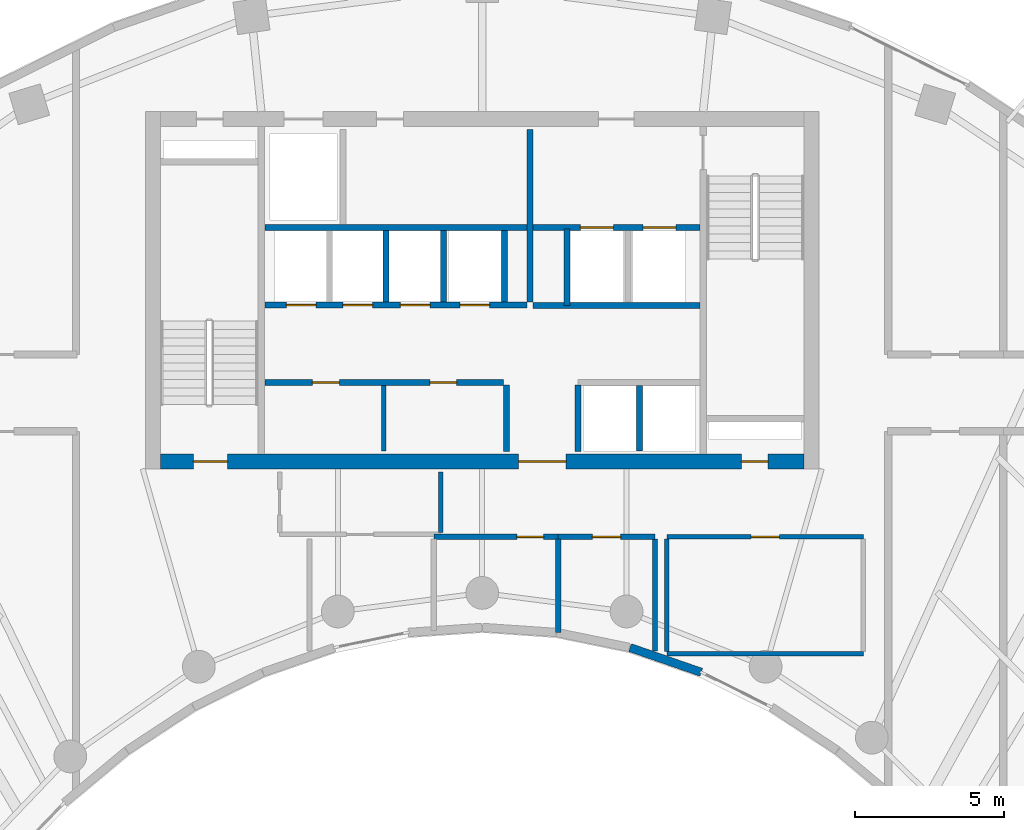
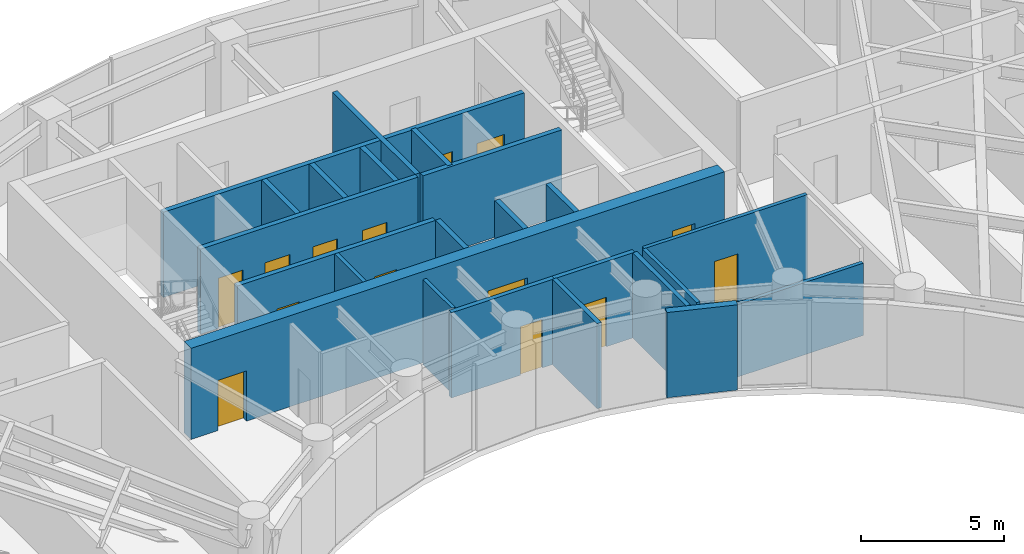
# One storey, part 9 of 13: 24 walls, 14 doors, 14 openings.
"""IFC4 building model written with IfcOpenShell, lengths in metres."""

from ifc_helpers import new_model, si_unit, direction, frame, frame_2d, origin, place, context, subcontext, project, spatial, rectangle, extrude, source, transform, mapped, material, layer, layer_set, type_object, type_shapes, element, fill, save


model = new_model("IFC4")

# Units and contexts
model_context = context("Model", 3, precision=1e-05, world=origin(), true_north=direction((0.0, 1.0)))
body_context = subcontext(model_context, "Body", "Model", "MODEL_VIEW")
ifc_project = project(units=[si_unit("LENGTHUNIT", "METRE"), si_unit("AREAUNIT", "SQUARE_METRE"), si_unit("VOLUMEUNIT", "CUBIC_METRE"), si_unit("PLANEANGLEUNIT", "RADIAN"), si_unit("MASSUNIT", "GRAM", prefix="KILO")], contexts=[model_context])

# Site, building, storey
site_placement = place(None, origin())
site = spatial("IfcSite", under=ifc_project, at=site_placement, CompositionType="ELEMENT")
building_placement = place(site_placement, origin())
building = spatial("IfcBuilding", under=site, at=building_placement, Name="Breltana Convention Tower", CompositionType="ELEMENT")
storey_placement = place(building_placement, frame((0.0, 0.0, 181.800048828125)))
storey = spatial("IfcBuildingStorey", under=building, at=storey_placement, Name="L44", CompositionType="ELEMENT", Elevation=181.800048828125)

# Wall, openings, doors
ifc_material_1 = material(Name="Concrete C60/75", Category="concrete")
ifc_layer_1 = layer(ifc_material_1, 0.5, Name="Concrete C60/75")
ifc_layer_set_1 = layer_set([ifc_layer_1], Name="Concrete C60/75")
wall_type_1 = type_object("IfcWallType", Name="SW-CORE-500", PredefinedType="SHEAR", material=ifc_layer_set_1)
shared_shape_1 = source(origin(), body_context, "Body", "SweptSolid", [
    extrude(rectangle(XDim=21.60009765625, YDim=0.5, at=frame_2d((10.800048828125, 0.0))), origin(), (0.0, 0.0, 1.0), 3.89990234375),
])
wall_1_placement = place(storey_placement, frame((37.199951171875, 60.449951171875, 0.0), z_axis=(0.0, 0.0, 1.0), x_axis=(1.0, 0.0, 0.0)))
wall_1 = element("IfcWall", 1, at=wall_1_placement, inside=storey, type_object=wall_type_1, Name="L44 South Core Shear Wall", PredefinedType="SHEAR", context=body_context, shape_type="MappedRepresentation", body=[
    mapped(shared_shape_1, transform((0.0, 0.0, 0.0), scale=1.0)),
])
opening_1_placement = place(wall_1_placement, frame((1.10009765625, 0.0, 0.0)))
opening_1 = element("IfcOpeningElement", 2, at=opening_1_placement, cuts=wall_1, Name="Opening D-11", PredefinedType="OPENING", context=body_context, shape_type="SweptSolid", body=[
    extrude(rectangle(XDim=1.14990234375, YDim=2.14990234375, at=frame_2d((0.574951171875, 1.074951171875))), frame((0.0, 0.260009765625, 0.0), z_axis=(0.0, -1.0, 0.0), x_axis=(1.0, 0.0, 0.0)), (0.0, 0.0, 1.0), 0.52001953125),
])
opening_2_placement = place(wall_1_placement, frame((19.5, 0.0, 0.0)))
opening_2 = element("IfcOpeningElement", 3, at=opening_2_placement, cuts=wall_1, Name="Opening D-18", PredefinedType="OPENING", context=body_context, shape_type="SweptSolid", body=[
    extrude(rectangle(XDim=0.89990234375, YDim=2.10009765625, at=frame_2d((0.449951171875, 1.050048828125))), frame((0.0, 0.260009765625, 0.0), z_axis=(0.0, -1.0, 0.0), x_axis=(1.0, 0.0, 0.0)), (0.0, 0.0, 1.0), 0.52001953125),
])
opening_3_placement = place(wall_1_placement, frame((12.02001953125, 0.0, 0.0)))
opening_3 = element("IfcOpeningElement", 4, at=opening_3_placement, cuts=wall_1, Name="Opening D-02", PredefinedType="OPENING", context=body_context, shape_type="SweptSolid", body=[
    extrude(rectangle(XDim=1.60009765625, YDim=2.14990234375, at=frame_2d((0.800048828125, 1.074951171875))), frame((0.0, 0.260009765625, 0.0), z_axis=(0.0, -1.0, 0.0), x_axis=(1.0, 0.0, 0.0)), (0.0, 0.0, 1.0), 0.52001953125),
])
ifc_material_2 = material(Name="Steel Stair Exit Door", Category="steel")
door_type_1 = type_object("IfcDoorType", Name="DR-FD120-1150", OperationType="NOTDEFINED", PredefinedType="DOOR", material=ifc_material_2)
shared_shape_2 = source(origin(), body_context, "Body", "SweptSolid", [
    extrude(rectangle(XDim=1.14990234375, YDim=2.14990234375, at=frame_2d((0.574951171875, 1.074951171875))), frame((0.0, 0.02490234375, 0.0), z_axis=(0.0, -1.0, 0.0), x_axis=(1.0, 0.0, 0.0)), (0.0, 0.0, 1.0), 0.050048828125),
])
type_shapes(door_type_1, [shared_shape_2])
door_1_placement = place(opening_1_placement, origin())
door_1 = element("IfcDoor", 5, at=door_1_placement, inside=storey, type_object=door_type_1, Name="L44 interior door D-L44-ST1", OperationType="SINGLE_SWING_LEFT", OverallHeight=2.14990234375, OverallWidth=1.14990234375, PredefinedType="DOOR", context=body_context, shape_type="MappedRepresentation", body=[
    mapped(shared_shape_2, transform((0.0, 0.0, 0.0), scale=1.0)),
])
fill(opening_1, door_1)
ifc_material_3 = material(Name="Steel Riser Fire Door", Category="steel")
door_type_2 = type_object("IfcDoorType", Name="DR-FD60-900", OperationType="NOTDEFINED", PredefinedType="DOOR", material=ifc_material_3)
shared_shape_3 = source(origin(), body_context, "Body", "SweptSolid", [
    extrude(rectangle(XDim=0.89990234375, YDim=2.10009765625, at=frame_2d((0.449951171875, 1.050048828125))), frame((0.0, 0.02490234375, 0.0), z_axis=(0.0, -1.0, 0.0), x_axis=(1.0, 0.0, 0.0)), (0.0, 0.0, 1.0), 0.050048828125),
])
type_shapes(door_type_2, [shared_shape_3])
door_2_placement = place(opening_2_placement, origin())
door_2 = element("IfcDoor", 6, at=door_2_placement, inside=storey, type_object=door_type_2, Name="L44 Core Riser Access Door D-L44-RS2", OperationType="SINGLE_SWING_RIGHT", OverallHeight=2.10009765625, OverallWidth=0.89990234375, PredefinedType="DOOR", context=body_context, shape_type="MappedRepresentation", body=[
    mapped(shared_shape_3, transform((0.0, 0.0, 0.0), scale=1.0)),
])
fill(opening_2, door_2)
ifc_material_4 = material(Name="Steel Glazed Smoke-Control Door", Category="steel")
door_type_3 = type_object("IfcDoorType", Name="DR-DBL-FD90-1600", OperationType="DOUBLE_DOOR_SINGLE_SWING", PredefinedType="DOOR", material=ifc_material_4)
shared_shape_4 = source(origin(), body_context, "Body", "SweptSolid", [
    extrude(rectangle(XDim=1.60009765625, YDim=2.14990234375, at=frame_2d((0.800048828125, 1.074951171875))), frame((0.0, 0.02490234375, 0.0), z_axis=(0.0, -1.0, 0.0), x_axis=(1.0, 0.0, 0.0)), (0.0, 0.0, 1.0), 0.050048828125),
])
type_shapes(door_type_3, [shared_shape_4])
door_3_placement = place(opening_3_placement, origin())
door_3 = element("IfcDoor", 7, at=door_3_placement, inside=storey, type_object=door_type_3, Name="L44 interior door D-L44-LLB-S", OperationType="DOUBLE_DOOR_SINGLE_SWING", OverallHeight=2.14990234375, OverallWidth=1.60009765625, PredefinedType="DOOR", context=body_context, shape_type="MappedRepresentation", body=[
    mapped(shared_shape_4, transform((0.0, 0.0, 0.0), scale=1.0)),
])
fill(opening_3, door_3)

# Walls
ifc_material_5 = material(Name="Limestone Buff Insulated Wall", Category="masonry")
ifc_layer_2 = layer(ifc_material_5, 0.280029296875, Name="Limestone Buff Insulated Wall")
ifc_layer_set_2 = layer_set([ifc_layer_2], Name="Limestone Buff Insulated Wall")
wall_type_2 = type_object("IfcWallType", Name="WL-EXT-NOSE-280", PredefinedType="SOLIDWALL", material=ifc_layer_set_2)
shared_shape_5 = source(origin(), body_context, "Body", "SweptSolid", [
    extrude(rectangle(XDim=2.52978515625, YDim=0.280029296875, at=frame_2d((1.264892578125, 0.0))), origin(), (0.0, 0.0, 1.0), 3.64990234375),
])
wall_2_placement = place(storey_placement, frame((55.35546875, 53.369873046875, 0.0), z_axis=(0.0, 0.0, 1.0), x_axis=(-0.944872429646, 0.327438683872, 0.0)))
element("IfcWall", 8, at=wall_2_placement, inside=storey, type_object=wall_type_2, Name="L44 curved limestone nose wall E10", PredefinedType="SOLIDWALL", context=body_context, shape_type="MappedRepresentation", body=[
    mapped(shared_shape_5, transform((0.0, 0.0, 0.0), scale=1.0)),
])
ifc_material_6 = material(Name="Autoclaved Aerated Concrete Block", Category="concrete")
ifc_layer_3 = layer(ifc_material_6, 0.199951171875, Name="Autoclaved Aerated Concrete Block")
ifc_layer_set_3 = layer_set([ifc_layer_3], Name="Autoclaved Aerated Concrete Block")
wall_type_3 = type_object("IfcWallType", Name="WL-SHAFT-200", PredefinedType="SOLIDWALL", material=ifc_layer_set_3)
shared_shape_6 = source(origin(), body_context, "Body", "SweptSolid", [
    extrude(rectangle(XDim=2.239990234375, YDim=0.199951171875, at=frame_2d((1.1201171875, 0.0))), origin(), (0.0, 0.0, 1.0), 3.64990234375),
])
for number, where, z_axis, x_axis, name in (
    (9, (48.820068359375, 60.780029296875, 0.0), (0.0, 0.0, 1.0), (0.0, 1.0, 0.0), "L44 interior partition W-L44-PORT-W"),
    (10, (51.219970703125, 60.780029296875, 0.0), (0.0, 0.0, 1.0), (0.0, 1.0, 0.0), "L44 interior partition W-L44-PORT-E"),
):
    element("IfcWall", number, at=place(storey_placement, frame(where, z_axis=z_axis, x_axis=x_axis)), inside=storey, type_object=wall_type_3, Name=name, PredefinedType="SOLIDWALL", context=body_context, shape_type="MappedRepresentation", body=[
        mapped(shared_shape_6, transform((0.0, 0.0, 0.0), scale=1.0)),
    ])

# Wall, openings, doors
shared_shape_7 = source(origin(), body_context, "Body", "SweptSolid", [
    extrude(rectangle(XDim=5.6201171875, YDim=0.199951171875, at=frame_2d((2.81005859375, 0.0))), origin(), (0.0, 0.0, 1.0), 3.64990234375),
])
wall_3_placement = place(storey_placement, frame((49.699951171875, 68.300048828125, 0.0), z_axis=(0.0, 0.0, 1.0), x_axis=(1.0, 0.0, 0.0)))
wall_3 = element("IfcWall", 11, at=wall_3_placement, inside=storey, type_object=wall_type_3, Name="L44 interior partition W-L44-FFL-S", PredefinedType="SOLIDWALL", context=body_context, shape_type="MappedRepresentation", body=[
    mapped(shared_shape_7, transform((0.0, 0.0, 0.0), scale=1.0)),
])
opening_4_placement = place(wall_3_placement, frame((1.60009765625, 0.0, 0.0)))
opening_4 = element("IfcOpeningElement", 12, at=opening_4_placement, cuts=wall_3, Name="Opening LD-03", PredefinedType="OPENING", context=body_context, shape_type="SweptSolid", body=[
    extrude(rectangle(XDim=1.10009765625, YDim=2.14990234375, at=frame_2d((0.550048828125, 1.074951171875))), frame((0.0, 0.10986328125, 0.0), z_axis=(0.0, -1.0, 0.0), x_axis=(1.0, 0.0, 0.0)), (0.0, 0.0, 1.0), 0.219970703125),
])
opening_5_placement = place(wall_3_placement, frame((3.699951171875, 0.0, 0.0)))
opening_5 = element("IfcOpeningElement", 13, at=opening_5_placement, cuts=wall_3, Name="Opening LD-03", PredefinedType="OPENING", context=body_context, shape_type="SweptSolid", body=[
    extrude(rectangle(XDim=1.10009765625, YDim=2.14990234375, at=frame_2d((0.550048828125, 1.074951171875))), frame((0.0, 0.10986328125, 0.0), z_axis=(0.0, -1.0, 0.0), x_axis=(1.0, 0.0, 0.0)), (0.0, 0.0, 1.0), 0.219970703125),
])
ifc_material_7 = material(Name="Stainless Steel Brushed", Category="steel")
door_type_4 = type_object("IfcDoorType", Name="DR-LD-FF-1100", OperationType="DOUBLE_DOOR_SLIDING", PredefinedType="DOOR", material=ifc_material_7)
shared_shape_8 = source(origin(), body_context, "Body", "SweptSolid", [
    extrude(rectangle(XDim=1.10009765625, YDim=2.14990234375, at=frame_2d((0.550048828125, 1.074951171875))), frame((0.0, 0.02490234375, 0.0), z_axis=(0.0, -1.0, 0.0), x_axis=(1.0, 0.0, 0.0)), (0.0, 0.0, 1.0), 0.050048828125),
])
type_shapes(door_type_4, [shared_shape_8])
door_4_placement = place(opening_4_placement, origin())
door_4 = element("IfcDoor", 14, at=door_4_placement, inside=storey, type_object=door_type_4, Name="L44 Lift Landing Door D-L44-LD-FL1", OperationType="DOUBLE_DOOR_SLIDING", OverallHeight=2.14990234375, OverallWidth=1.10009765625, PredefinedType="DOOR", context=body_context, shape_type="MappedRepresentation", body=[
    mapped(shared_shape_8, transform((0.0, 0.0, 0.0), scale=1.0)),
])
fill(opening_4, door_4)
door_5_placement = place(opening_5_placement, origin())
door_5 = element("IfcDoor", 15, at=door_5_placement, inside=storey, type_object=door_type_4, Name="L44 Lift Landing Door D-L44-LD-FL2", OperationType="DOUBLE_DOOR_SLIDING", OverallHeight=2.14990234375, OverallWidth=1.10009765625, PredefinedType="DOOR", context=body_context, shape_type="MappedRepresentation", body=[
    mapped(shared_shape_8, transform((0.0, 0.0, 0.0), scale=1.0)),
])
fill(opening_5, door_5)

# Walls
wall_4_placement = place(storey_placement, frame((49.699951171875, 65.679931640625, 0.0), z_axis=(0.0, 0.0, 1.0), x_axis=(1.0, 0.0, 0.0)))
element("IfcWall", 16, at=wall_4_placement, inside=storey, type_object=wall_type_3, Name="L44 interior partition W-L44-FL-S", PredefinedType="SOLIDWALL", context=body_context, shape_type="MappedRepresentation", body=[
    mapped(shared_shape_7, transform((0.0, 0.0, 0.0), scale=1.0)),
])
shared_shape_9 = source(origin(), body_context, "Body", "SweptSolid", [
    extrude(rectangle(XDim=5.800048828125, YDim=0.199951171875, at=frame_2d((2.89990234375, 0.0))), origin(), (0.0, 0.0, 1.0), 3.64990234375),
])
wall_5_placement = place(storey_placement, frame((49.60009765625, 65.800048828125, 0.0), z_axis=(0.0, 0.0, 1.0), x_axis=(0.0, 1.0, 0.0)))
element("IfcWall", 17, at=wall_5_placement, inside=storey, type_object=wall_type_3, Name="L44 interior partition W-L44-FFL-W", PredefinedType="SOLIDWALL", context=body_context, shape_type="MappedRepresentation", body=[
    mapped(shared_shape_9, transform((0.0, 0.0, 0.0), scale=1.0)),
])
shared_shape_10 = source(origin(), body_context, "Body", "SweptSolid", [
    extrude(rectangle(XDim=2.580078125, YDim=0.199951171875, at=frame_2d((1.2900390625, 0.0))), origin(), (0.0, 0.0, 1.0), 3.64990234375),
])
wall_6_placement = place(storey_placement, frame((50.85009765625, 65.679931640625, 0.0), z_axis=(0.0, 0.0, 1.0), x_axis=(0.0, 1.0, 0.0)))
element("IfcWall", 18, at=wall_6_placement, inside=storey, type_object=wall_type_3, Name="L44 interior partition W-L44-FL-W", PredefinedType="SOLIDWALL", context=body_context, shape_type="MappedRepresentation", body=[
    mapped(shared_shape_10, transform((0.0, 0.0, 0.0), scale=1.0)),
])
shared_shape_11 = source(origin(), body_context, "Body", "SweptSolid", [
    extrude(rectangle(XDim=2.39990234375, YDim=0.199951171875, at=frame_2d((1.199951171875, 0.0))), origin(), (0.0, 0.0, 1.0), 3.64990234375),
])
for number, where, z_axis, x_axis, name in (
    (19, (48.75, 65.800048828125, 0.0), (0.0, 0.0, 1.0), (0.0, 1.0, 0.0), "L44 interior partition W-L44-SH-M-END"),
    (20, (44.77001953125, 65.800048828125, 0.0), (0.0, 0.0, 1.0), (0.0, 1.0, 0.0), "L44 interior partition W-L44-SH-M-DIV2"),
    (21, (46.699951171875, 65.800048828125, 0.0), (0.0, 0.0, 1.0), (0.0, 1.0, 0.0), "L44 interior partition W-L44-SH-M-DIV3"),
):
    element("IfcWall", number, at=place(storey_placement, frame(where, z_axis=z_axis, x_axis=x_axis)), inside=storey, type_object=wall_type_3, Name=name, PredefinedType="SOLIDWALL", context=body_context, shape_type="MappedRepresentation", body=[
        mapped(shared_shape_11, transform((0.0, 0.0, 0.0), scale=1.0)),
    ])
shared_shape_12 = source(origin(), body_context, "Body", "SweptSolid", [
    extrude(rectangle(XDim=8.800048828125, YDim=0.199951171875, at=frame_2d((4.39990234375, 0.0))), origin(), (0.0, 0.0, 1.0), 3.64990234375),
])
wall_7_placement = place(storey_placement, frame((40.699951171875, 68.300048828125, 0.0), z_axis=(0.0, 0.0, 1.0), x_axis=(1.0, 0.0, 0.0)))
element("IfcWall", 22, at=wall_7_placement, inside=storey, type_object=wall_type_3, Name="L44 interior partition W-L44-SV-S", PredefinedType="SOLIDWALL", context=body_context, shape_type="MappedRepresentation", body=[
    mapped(shared_shape_12, transform((0.0, 0.0, 0.0), scale=1.0)),
])

# Wall, openings, doors
wall_8_placement = place(storey_placement, frame((40.699951171875, 65.699951171875, 0.0), z_axis=(0.0, 0.0, 1.0), x_axis=(1.0, 0.0, 0.0)))
wall_8 = element("IfcWall", 23, at=wall_8_placement, inside=storey, type_object=wall_type_3, Name="L44 interior partition W-L44-SH-M-FRONT", PredefinedType="SOLIDWALL", context=body_context, shape_type="MappedRepresentation", body=[
    mapped(shared_shape_12, transform((0.0, 0.0, 0.0), scale=1.0)),
])
opening_6_placement = place(wall_8_placement, frame((0.719970703125, 0.0, 0.0)))
opening_6 = element("IfcOpeningElement", 24, at=opening_6_placement, cuts=wall_8, Name="Opening LD-04", PredefinedType="OPENING", context=body_context, shape_type="SweptSolid", body=[
    extrude(rectangle(XDim=1.0, YDim=2.14990234375, at=frame_2d((0.5, 1.074951171875))), frame((0.0, 0.10986328125, 0.0), z_axis=(0.0, -1.0, 0.0), x_axis=(1.0, 0.0, 0.0)), (0.0, 0.0, 1.0), 0.219970703125),
])
opening_7_placement = place(wall_8_placement, frame((2.6201171875, 0.0, 0.0)))
opening_7 = element("IfcOpeningElement", 25, at=opening_7_placement, cuts=wall_8, Name="Opening LD-04", PredefinedType="OPENING", context=body_context, shape_type="SweptSolid", body=[
    extrude(rectangle(XDim=1.0, YDim=2.14990234375, at=frame_2d((0.5, 1.074951171875))), frame((0.0, 0.10986328125, 0.0), z_axis=(0.0, -1.0, 0.0), x_axis=(1.0, 0.0, 0.0)), (0.0, 0.0, 1.0), 0.219970703125),
])
opening_8_placement = place(wall_8_placement, frame((4.550048828125, 0.0, 0.0)))
opening_8 = element("IfcOpeningElement", 26, at=opening_8_placement, cuts=wall_8, Name="Opening LD-04", PredefinedType="OPENING", context=body_context, shape_type="SweptSolid", body=[
    extrude(rectangle(XDim=1.0, YDim=2.14990234375, at=frame_2d((0.5, 1.074951171875))), frame((0.0, 0.10986328125, 0.0), z_axis=(0.0, -1.0, 0.0), x_axis=(1.0, 0.0, 0.0)), (0.0, 0.0, 1.0), 0.219970703125),
])
opening_9_placement = place(wall_8_placement, frame((6.550048828125, 0.0, 0.0)))
opening_9 = element("IfcOpeningElement", 27, at=opening_9_placement, cuts=wall_8, Name="Opening LD-04", PredefinedType="OPENING", context=body_context, shape_type="SweptSolid", body=[
    extrude(rectangle(XDim=1.0, YDim=2.14990234375, at=frame_2d((0.5, 1.074951171875))), frame((0.0, 0.10986328125, 0.0), z_axis=(0.0, -1.0, 0.0), x_axis=(1.0, 0.0, 0.0)), (0.0, 0.0, 1.0), 0.219970703125),
])
door_type_5 = type_object("IfcDoorType", Name="DR-LD-PAX-1000", OperationType="DOUBLE_DOOR_SLIDING", PredefinedType="DOOR", material=ifc_material_7)
shared_shape_13 = source(origin(), body_context, "Body", "SweptSolid", [
    extrude(rectangle(XDim=1.0, YDim=2.14990234375, at=frame_2d((0.5, 1.074951171875))), frame((0.0, 0.02490234375, 0.0), z_axis=(0.0, -1.0, 0.0), x_axis=(1.0, 0.0, 0.0)), (0.0, 0.0, 1.0), 0.050048828125),
])
type_shapes(door_type_5, [shared_shape_13])
door_6_placement = place(opening_6_placement, origin())
door_6 = element("IfcDoor", 28, at=door_6_placement, inside=storey, type_object=door_type_5, Name="L44 Lift Landing Door D-L44-LD-M1", OperationType="DOUBLE_DOOR_SLIDING", OverallHeight=2.14990234375, OverallWidth=1.0, PredefinedType="DOOR", context=body_context, shape_type="MappedRepresentation", body=[
    mapped(shared_shape_13, transform((0.0, 0.0, 0.0), scale=1.0)),
])
fill(opening_6, door_6)
door_7_placement = place(opening_7_placement, origin())
door_7 = element("IfcDoor", 29, at=door_7_placement, inside=storey, type_object=door_type_5, Name="L44 Lift Landing Door D-L44-LD-M2", OperationType="DOUBLE_DOOR_SLIDING", OverallHeight=2.14990234375, OverallWidth=1.0, PredefinedType="DOOR", context=body_context, shape_type="MappedRepresentation", body=[
    mapped(shared_shape_13, transform((0.0, 0.0, 0.0), scale=1.0)),
])
fill(opening_7, door_7)
door_8_placement = place(opening_8_placement, origin())
door_8 = element("IfcDoor", 30, at=door_8_placement, inside=storey, type_object=door_type_5, Name="L44 Lift Landing Door D-L44-LD-M3", OperationType="DOUBLE_DOOR_SLIDING", OverallHeight=2.14990234375, OverallWidth=1.0, PredefinedType="DOOR", context=body_context, shape_type="MappedRepresentation", body=[
    mapped(shared_shape_13, transform((0.0, 0.0, 0.0), scale=1.0)),
])
fill(opening_8, door_8)
door_9_placement = place(opening_9_placement, origin())
door_9 = element("IfcDoor", 31, at=door_9_placement, inside=storey, type_object=door_type_5, Name="L44 Lift Landing Door D-L44-LD-M4", OperationType="DOUBLE_DOOR_SLIDING", OverallHeight=2.14990234375, OverallWidth=1.0, PredefinedType="DOOR", context=body_context, shape_type="MappedRepresentation", body=[
    mapped(shared_shape_13, transform((0.0, 0.0, 0.0), scale=1.0)),
])
fill(opening_9, door_9)

shared_shape_14 = source(origin(), body_context, "Body", "SweptSolid", [
    extrude(rectangle(XDim=8.02001953125, YDim=0.199951171875, at=frame_2d((4.010009765625, 0.0))), origin(), (0.0, 0.0, 1.0), 3.64990234375),
])
wall_9_placement = place(storey_placement, frame((40.699951171875, 63.10009765625, 0.0), z_axis=(0.0, 0.0, 1.0), x_axis=(1.0, 0.0, 0.0)))
wall_9 = element("IfcWall", 32, at=wall_9_placement, inside=storey, type_object=wall_type_3, Name="L44 interior partition W-L44-SH-S-FRONT", PredefinedType="SOLIDWALL", context=body_context, shape_type="MappedRepresentation", body=[
    mapped(shared_shape_14, transform((0.0, 0.0, 0.0), scale=1.0)),
])
opening_10_placement = place(wall_9_placement, frame((1.60009765625, 0.0, 0.0)))
opening_10 = element("IfcOpeningElement", 33, at=opening_10_placement, cuts=wall_9, Name="Opening D-18", PredefinedType="OPENING", context=body_context, shape_type="SweptSolid", body=[
    extrude(rectangle(XDim=0.89990234375, YDim=2.10009765625, at=frame_2d((0.449951171875, 1.050048828125))), frame((0.0, 0.10986328125, 0.0), z_axis=(0.0, -1.0, 0.0), x_axis=(1.0, 0.0, 0.0)), (0.0, 0.0, 1.0), 0.219970703125),
])
opening_11_placement = place(wall_9_placement, frame((5.5400390625, 0.0, 0.0)))
opening_11 = element("IfcOpeningElement", 34, at=opening_11_placement, cuts=wall_9, Name="Opening D-18", PredefinedType="OPENING", context=body_context, shape_type="SweptSolid", body=[
    extrude(rectangle(XDim=0.89990234375, YDim=2.10009765625, at=frame_2d((0.449951171875, 1.050048828125))), frame((0.0, 0.10986328125, 0.0), z_axis=(0.0, -1.0, 0.0), x_axis=(1.0, 0.0, 0.0)), (0.0, 0.0, 1.0), 0.219970703125),
])
door_10_placement = place(opening_10_placement, origin())
door_10 = element("IfcDoor", 35, at=door_10_placement, inside=storey, type_object=door_type_2, Name="L44 interior door D-L44-LV7-B1A", OperationType="SINGLE_SWING_LEFT", OverallHeight=2.10009765625, OverallWidth=0.89990234375, PredefinedType="DOOR", context=body_context, shape_type="MappedRepresentation", body=[
    mapped(shared_shape_3, transform((0.0, 0.0, 0.0), scale=1.0)),
])
fill(opening_10, door_10)
door_11_placement = place(opening_11_placement, origin())
door_11 = element("IfcDoor", 36, at=door_11_placement, inside=storey, type_object=door_type_2, Name="L44 interior door D-L44-LV7-B1B", OperationType="SINGLE_SWING_RIGHT", OverallHeight=2.10009765625, OverallWidth=0.89990234375, PredefinedType="DOOR", context=body_context, shape_type="MappedRepresentation", body=[
    mapped(shared_shape_3, transform((0.0, 0.0, 0.0), scale=1.0)),
])
fill(opening_11, door_11)

# Wall
shared_shape_15 = source(origin(), body_context, "Body", "SweptSolid", [
    extrude(rectangle(XDim=2.199951171875, YDim=0.199951171875, at=frame_2d((1.10009765625, 0.0))), origin(), (0.0, 0.0, 1.0), 3.64990234375),
])
wall_10_placement = place(storey_placement, frame((53.280029296875, 60.800048828125, 0.0), z_axis=(0.0, 0.0, 1.0), x_axis=(0.0, 1.0, 0.0)))
element("IfcWall", 37, at=wall_10_placement, inside=storey, type_object=wall_type_3, Name="L44 interior partition W-L44-SH-X-DIV", PredefinedType="SOLIDWALL", context=body_context, shape_type="MappedRepresentation", body=[
    mapped(shared_shape_15, transform((0.0, 0.0, 0.0), scale=1.0)),
])

# Wall, opening, door
ifc_material_8 = material(Name="Moisture-Resistant Gypsum Chase Wall")
ifc_layer_4 = layer(ifc_material_8, 0.179931640625, Name="Moisture-Resistant Gypsum Chase Wall")
ifc_layer_set_4 = layer_set([ifc_layer_4], Name="Moisture-Resistant Gypsum Chase Wall")
wall_type_4 = type_object("IfcWallType", Name="WL-PLUMB-180", PredefinedType="PLUMBINGWALL", material=ifc_layer_set_4)
shared_shape_16 = source(origin(), body_context, "Body", "SweptSolid", [
    extrude(rectangle(XDim=4.176025390625, YDim=0.179931640625, at=frame_2d((2.087890625, 0.0))), origin(), (0.0, 0.0, 1.0), 3.64990234375),
])
wall_11_placement = place(storey_placement, frame((46.3759765625, 57.919921875, 0.0), z_axis=(0.0, 0.0, 1.0), x_axis=(1.0, 0.0, 0.0)))
wall_11 = element("IfcWall", 38, at=wall_11_placement, inside=storey, type_object=wall_type_4, Name="L44 interior partition W-L44-WCF-N", PredefinedType="PLUMBINGWALL", context=body_context, shape_type="MappedRepresentation", body=[
    mapped(shared_shape_16, transform((0.0, 0.0, 0.0), scale=1.0)),
])
opening_12_placement = place(wall_11_placement, frame((2.7880859375, 0.0, 0.0)))
opening_12 = element("IfcOpeningElement", 39, at=opening_12_placement, cuts=wall_11, Name="Opening D-19", PredefinedType="OPENING", context=body_context, shape_type="SweptSolid", body=[
    extrude(rectangle(XDim=0.89990234375, YDim=2.080078125, at=frame_2d((0.449951171875, 1.0400390625))), frame((0.0, 0.10009765625, 0.0), z_axis=(0.0, -1.0, 0.0), x_axis=(1.0, 0.0, 0.0)), (0.0, 0.0, 1.0), 0.199951171875),
])
ifc_material_9 = material(Name="Timber Moisture-Resistant Door", Category="wood")
door_type_6 = type_object("IfcDoorType", Name="DR-WC-900", OperationType="NOTDEFINED", PredefinedType="DOOR", material=ifc_material_9)
shared_shape_17 = source(origin(), body_context, "Body", "SweptSolid", [
    extrude(rectangle(XDim=0.89990234375, YDim=2.080078125, at=frame_2d((0.449951171875, 1.0400390625))), frame((0.0, 0.02490234375, 0.0), z_axis=(0.0, -1.0, 0.0), x_axis=(1.0, 0.0, 0.0)), (0.0, 0.0, 1.0), 0.050048828125),
])
type_shapes(door_type_6, [shared_shape_17])
door_12_placement = place(opening_12_placement, origin())
door_12 = element("IfcDoor", 40, at=door_12_placement, inside=storey, type_object=door_type_6, Name="L44 interior door D-L44-WCF", OperationType="SINGLE_SWING_LEFT", OverallHeight=2.080078125, OverallWidth=0.89990234375, PredefinedType="DOOR", context=body_context, shape_type="MappedRepresentation", body=[
    mapped(shared_shape_17, transform((0.0, 0.0, 0.0), scale=1.0)),
])
fill(opening_12, door_12)

# Wall
ifc_material_10 = material(Name="Cement Board Wet-Area Partition")
ifc_layer_5 = layer(ifc_material_10, 0.175048828125, Name="Cement Board Wet-Area Partition")
ifc_layer_set_5 = layer_set([ifc_layer_5], Name="Cement Board Wet-Area Partition")
wall_type_5 = type_object("IfcWallType", Name="WL-WET-175", PredefinedType="PARTITIONING", material=ifc_layer_set_5)
shared_shape_18 = source(origin(), body_context, "Body", "SweptSolid", [
    extrude(rectangle(XDim=3.7626953125, YDim=0.175048828125, at=frame_2d((1.88134765625, 0.0))), origin(), (0.0, 0.0, 1.0), 3.64990234375),
])
wall_12_placement = place(storey_placement, frame((53.800048828125, 54.07861328125, 0.0), z_axis=(0.0, 0.0, 1.0), x_axis=(0.0, 1.0, 0.0)))
element("IfcWall", 41, at=wall_12_placement, inside=storey, type_object=wall_type_5, Name="L44 interior partition W-L44-WCA-E", PredefinedType="PARTITIONING", context=body_context, shape_type="MappedRepresentation", body=[
    mapped(shared_shape_18, transform((0.0, 0.0, 0.0), scale=1.0)),
])

# Wall, opening, door
shared_shape_19 = source(origin(), body_context, "Body", "SweptSolid", [
    extrude(rectangle(XDim=3.248046875, YDim=0.179931640625, at=frame_2d((1.6240234375, 0.0))), origin(), (0.0, 0.0, 1.0), 3.64990234375),
])
wall_13_placement = place(storey_placement, frame((50.552001953125, 57.919921875, 0.0), z_axis=(0.0, 0.0, 1.0), x_axis=(1.0, 0.0, 0.0)))
wall_13 = element("IfcWall", 42, at=wall_13_placement, inside=storey, type_object=wall_type_4, Name="L44 interior partition W-L44-WCA-N", PredefinedType="PLUMBINGWALL", context=body_context, shape_type="MappedRepresentation", body=[
    mapped(shared_shape_19, transform((0.0, 0.0, 0.0), scale=1.0)),
])
opening_13_placement = place(wall_13_placement, frame((1.14892578125, 0.0, 0.0)))
opening_13 = element("IfcOpeningElement", 43, at=opening_13_placement, cuts=wall_13, Name="Opening D-16", PredefinedType="OPENING", context=body_context, shape_type="SweptSolid", body=[
    extrude(rectangle(XDim=0.949951171875, YDim=2.1201171875, at=frame_2d((0.47509765625, 1.06005859375))), frame((0.0, 0.10009765625, 0.0), z_axis=(0.0, -1.0, 0.0), x_axis=(1.0, 0.0, 0.0)), (0.0, 0.0, 1.0), 0.199951171875),
])
ifc_material_11 = material(Name="Timber Laminate Accessible Door", Category="wood")
door_type_7 = type_object("IfcDoorType", Name="DR-ACC-950", OperationType="NOTDEFINED", PredefinedType="DOOR", material=ifc_material_11)
shared_shape_20 = source(origin(), body_context, "Body", "SweptSolid", [
    extrude(rectangle(XDim=0.949951171875, YDim=2.1201171875, at=frame_2d((0.47509765625, 1.06005859375))), frame((0.0, 0.02490234375, 0.0), z_axis=(0.0, -1.0, 0.0), x_axis=(1.0, 0.0, 0.0)), (0.0, 0.0, 1.0), 0.050048828125),
])
type_shapes(door_type_7, [shared_shape_20])
door_13_placement = place(opening_13_placement, origin())
door_13 = element("IfcDoor", 44, at=door_13_placement, inside=storey, type_object=door_type_7, Name="L44 interior door D-L44-WCA", OperationType="SINGLE_SWING_RIGHT", OverallHeight=2.1201171875, OverallWidth=0.949951171875, PredefinedType="DOOR", context=body_context, shape_type="MappedRepresentation", body=[
    mapped(shared_shape_20, transform((0.0, 0.0, 0.0), scale=1.0)),
])
fill(opening_13, door_13)

# Wall
ifc_material_12 = material(Name="Gypsum Acoustic Drywall Partition")
ifc_layer_6 = layer(ifc_material_12, 0.14990234375, Name="Gypsum Acoustic Drywall Partition")
ifc_layer_set_6 = layer_set([ifc_layer_6], Name="Gypsum Acoustic Drywall Partition")
wall_type_6 = type_object("IfcWallType", Name="WL-PART-150", PredefinedType="PARTITIONING", material=ifc_layer_set_6)
shared_shape_21 = source(origin(), body_context, "Body", "SweptSolid", [
    extrude(rectangle(XDim=6.60009765625, YDim=0.14990234375, at=frame_2d((3.300048828125, 0.0))), origin(), (0.0, 0.0, 1.0), 3.094970703125),
])
wall_14_placement = place(storey_placement, frame((54.199951171875, 54.0, 0.0), z_axis=(0.0, 0.0, 1.0), x_axis=(1.0, 0.0, 0.0)))
element("IfcWall", 45, at=wall_14_placement, inside=storey, type_object=wall_type_6, Name="L44 interior partition W-L44-PNT-S", PredefinedType="PARTITIONING", context=body_context, shape_type="MappedRepresentation", body=[
    mapped(shared_shape_21, transform((0.0, 0.0, 0.0), scale=1.0)),
])

# Wall, opening, door
shared_shape_22 = source(origin(), body_context, "Body", "SweptSolid", [
    extrude(rectangle(XDim=6.60009765625, YDim=0.14990234375, at=frame_2d((3.300048828125, 0.0))), origin(), (0.0, 0.0, 1.0), 3.64990234375),
])
wall_15_placement = place(storey_placement, frame((54.199951171875, 57.919921875, 0.0), z_axis=(0.0, 0.0, 1.0), x_axis=(1.0, 0.0, 0.0)))
wall_15 = element("IfcWall", 46, at=wall_15_placement, inside=storey, type_object=wall_type_6, Name="L44 interior partition W-L44-PNT-N", PredefinedType="PARTITIONING", context=body_context, shape_type="MappedRepresentation", body=[
    mapped(shared_shape_22, transform((0.0, 0.0, 0.0), scale=1.0)),
])
opening_14_placement = place(wall_15_placement, frame((2.824951171875, 0.0, 0.0)))
opening_14 = element("IfcOpeningElement", 47, at=opening_14_placement, cuts=wall_15, Name="Opening D-17", PredefinedType="OPENING", context=body_context, shape_type="SweptSolid", body=[
    extrude(rectangle(XDim=0.949951171875, YDim=2.10009765625, at=frame_2d((0.47509765625, 1.050048828125))), frame((0.0, 0.0849609375, 0.0), z_axis=(0.0, -1.0, 0.0), x_axis=(1.0, 0.0, 0.0)), (0.0, 0.0, 1.0), 0.169921875),
])
ifc_material_13 = material(Name="Timber Oak Veneer Door", Category="wood")
door_type_8 = type_object("IfcDoorType", Name="DR-INT-950", OperationType="NOTDEFINED", PredefinedType="DOOR", material=ifc_material_13)
shared_shape_23 = source(origin(), body_context, "Body", "SweptSolid", [
    extrude(rectangle(XDim=0.949951171875, YDim=2.10009765625, at=frame_2d((0.47509765625, 1.050048828125))), frame((0.0, 0.02490234375, 0.0), z_axis=(0.0, -1.0, 0.0), x_axis=(1.0, 0.0, 0.0)), (0.0, 0.0, 1.0), 0.050048828125),
])
type_shapes(door_type_8, [shared_shape_23])
door_14_placement = place(opening_14_placement, origin())
door_14 = element("IfcDoor", 48, at=door_14_placement, inside=storey, type_object=door_type_8, Name="L44 interior door D-L44-PNT", OperationType="SINGLE_SWING_LEFT", OverallHeight=2.10009765625, OverallWidth=0.949951171875, PredefinedType="DOOR", context=body_context, shape_type="MappedRepresentation", body=[
    mapped(shared_shape_23, transform((0.0, 0.0, 0.0), scale=1.0)),
])
fill(opening_14, door_14)

# Walls
shared_shape_24 = source(origin(), body_context, "Body", "SweptSolid", [
    extrude(rectangle(XDim=3.78515625, YDim=0.14990234375, at=frame_2d((1.892578125, 0.0))), origin(), (0.0, 0.0, 1.0), 3.64990234375),
])
wall_16_placement = place(storey_placement, frame((54.199951171875, 54.0673828125, 0.0), z_axis=(0.0, 0.0, 1.0), x_axis=(0.0, 1.0, 0.0)))
element("IfcWall", 49, at=wall_16_placement, inside=storey, type_object=wall_type_6, Name="L44 interior partition W-L44-PNT-W", PredefinedType="PARTITIONING", context=body_context, shape_type="MappedRepresentation", body=[
    mapped(shared_shape_24, transform((0.0, 0.0, 0.0), scale=1.0)),
])
shared_shape_25 = source(origin(), body_context, "Body", "SweptSolid", [
    extrude(rectangle(XDim=2.199951171875, YDim=0.14990234375, at=frame_2d((1.10009765625, 0.0))), origin(), (0.0, 0.0, 1.0), 3.64990234375),
])
wall_17_placement = place(storey_placement, frame((44.699951171875, 60.800048828125, 0.0), z_axis=(0.0, 0.0, 1.0), x_axis=(0.0, 1.0, 0.0)))
element("IfcWall", 50, at=wall_17_placement, inside=storey, type_object=wall_type_6, Name="L44 interior partition W-L44-LV7-B1-DIV", PredefinedType="PARTITIONING", context=body_context, shape_type="MappedRepresentation", body=[
    mapped(shared_shape_25, transform((0.0, 0.0, 0.0), scale=1.0)),
])
shared_shape_26 = source(origin(), body_context, "Body", "SweptSolid", [
    extrude(rectangle(XDim=2.03271484375, YDim=0.14990234375, at=frame_2d((1.016357421875, 0.0))), origin(), (0.0, 0.0, 1.0), 3.64990234375),
])
wall_18_placement = place(storey_placement, frame((46.60009765625, 58.0673828125, 0.0), z_axis=(0.0, 0.0, 1.0), x_axis=(0.0, 1.0, 0.0)))
element("IfcWall", 51, at=wall_18_placement, inside=storey, type_object=wall_type_6, Name="L44 interior partition W-L44-CRSC-E", PredefinedType="PARTITIONING", context=body_context, shape_type="MappedRepresentation", body=[
    mapped(shared_shape_26, transform((0.0, 0.0, 0.0), scale=1.0)),
])
shared_shape_27 = source(origin(), body_context, "Body", "SweptSolid", [
    extrude(rectangle(XDim=3.136474609375, YDim=0.175048828125, at=frame_2d((1.568359375, 0.0))), origin(), (0.0, 0.0, 1.0), 3.64990234375),
])
wall_19_placement = place(storey_placement, frame((50.552001953125, 54.704833984375, 0.0), z_axis=(0.0, 0.0, 1.0), x_axis=(0.0, 1.0, 0.0)))
element("IfcWall", 52, at=wall_19_placement, inside=storey, type_object=wall_type_5, Name="L44 interior partition W-L44-WCF-E", PredefinedType="PARTITIONING", context=body_context, shape_type="MappedRepresentation", body=[
    mapped(shared_shape_27, transform((0.0, 0.0, 0.0), scale=1.0)),
])

save(model, "model.ifc")
